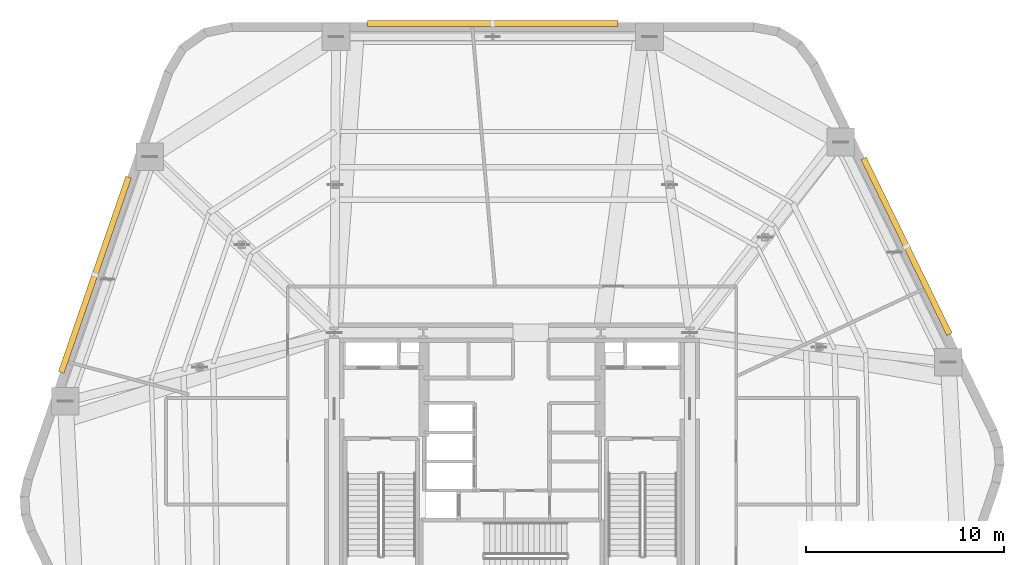
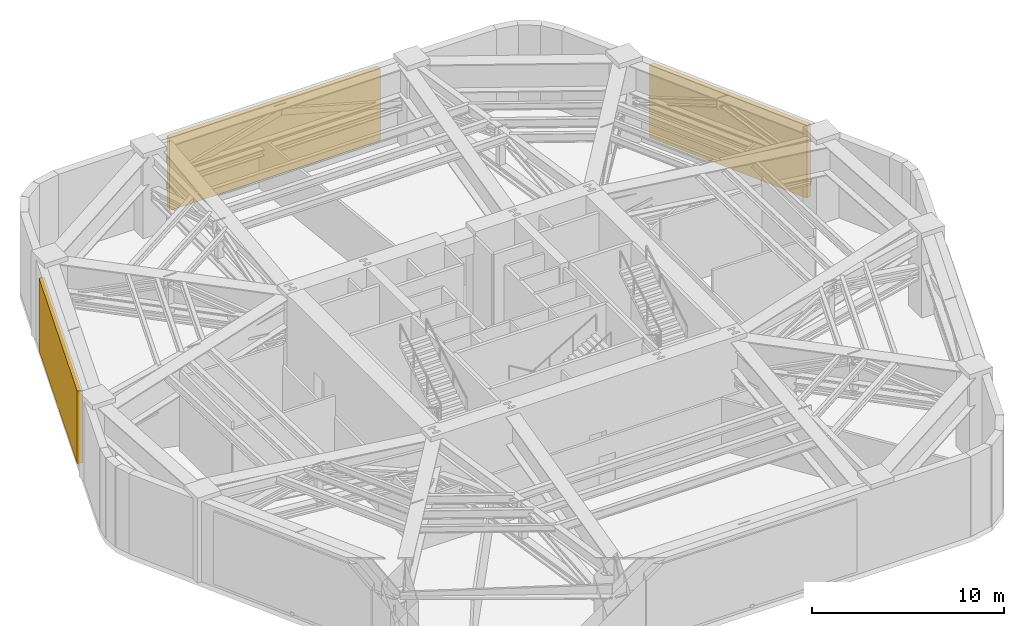
# One storey, part 11 of 11: 3 shading devices.
"""IFC4 building model written with IfcOpenShell, lengths in metres."""

from ifc_helpers import new_model, si_unit, direction, frame, origin, origin_2d, place, context, subcontext, project, spatial, rectangle, extrude, material, layer, layer_set, type_object, element, save


model = new_model("IFC4")

# Units and contexts
model_context = context("Model", 3, precision=1e-05, world=origin(), true_north=direction((0.0, 1.0)))
body_context = subcontext(model_context, "Body", "Model", "MODEL_VIEW")
ifc_project = project(units=[si_unit("LENGTHUNIT", "METRE"), si_unit("AREAUNIT", "SQUARE_METRE"), si_unit("VOLUMEUNIT", "CUBIC_METRE"), si_unit("PLANEANGLEUNIT", "RADIAN"), si_unit("MASSUNIT", "GRAM", prefix="KILO")], contexts=[model_context])

# Site, building, storey
site_placement = place(None, origin())
site = spatial("IfcSite", under=ifc_project, at=site_placement, CompositionType="ELEMENT")
building_placement = place(site_placement, origin())
building = spatial("IfcBuilding", under=site, at=building_placement, Name="Kilnhurst Terrace Hotel", CompositionType="ELEMENT")
storey_placement = place(building_placement, frame((0.0, 0.0, 86.0)))
storey = spatial("IfcBuildingStorey", under=building, at=storey_placement, Name="L20", CompositionType="ELEMENT", Elevation=86.0)

# Shading devices
ifc_material = material(Name="Bronze Anodized Extruded Aluminium Alloy 6063-T6", Category="aluminium")
ifc_layer = layer(ifc_material, 0.300048828125, Name="Bronze Anodized Extruded Aluminium Alloy 6063-T6")
ifc_layer_set = layer_set([ifc_layer], Name="Bronze Anodized Extruded Aluminium Alloy 6063-T6")
shading_device_type = type_object("IfcShadingDeviceType", Name="SHD-LVR-4600", PredefinedType="USERDEFINED", material=ifc_layer_set)
shading_device_1_placement = place(storey_placement, frame((19.966796875, 11.87451171875, 0.25), z_axis=(0.0, 0.0, 1.0), x_axis=(-0.438935789176, 0.898518432188, 0.0)))
element("IfcShadingDevice", 1, at=shading_device_1_placement, inside=storey, type_object=shading_device_type, Name="L20 Mechanical Intake Storm Louvre F3", ObjectType="LOUVRE", PredefinedType="USERDEFINED", context=body_context, shape_type="SweptSolid", body=[
    extrude(rectangle(XDim=9.89892578125, YDim=0.300048828125, at=origin_2d()), origin(), (0.0, 0.0, 1.0), 4.60009765625),
])
shading_device_2_placement = place(storey_placement, frame((-0.973388671875, 23.14990234375, 0.25), z_axis=(0.0, 0.0, 1.0), x_axis=(-1.0, 0.0, 0.0)))
element("IfcShadingDevice", 2, at=shading_device_2_placement, inside=storey, type_object=shading_device_type, Name="L20 Mechanical Intake Storm Louvre F4", ObjectType="LOUVRE", PredefinedType="USERDEFINED", context=body_context, shape_type="SweptSolid", body=[
    extrude(rectangle(XDim=12.6669921875, YDim=0.300048828125, at=origin_2d()), origin(), (0.0, 0.0, 1.0), 4.60009765625),
])
shading_device_3_placement = place(storey_placement, frame((-21.108154296875, 10.4345703125, 0.25), z_axis=(0.0, 0.0, 1.0), x_axis=(-0.326063182175, -0.94534797891, 0.0)))
element("IfcShadingDevice", 3, at=shading_device_3_placement, inside=storey, type_object=shading_device_type, Name="L20 Mechanical Intake Storm Louvre F5", ObjectType="LOUVRE", PredefinedType="USERDEFINED", context=body_context, shape_type="SweptSolid", body=[
    extrude(rectangle(XDim=10.4609375, YDim=0.300048828125, at=origin_2d()), origin(), (0.0, 0.0, 1.0), 4.60009765625),
])

save(model, "model.ifc")
